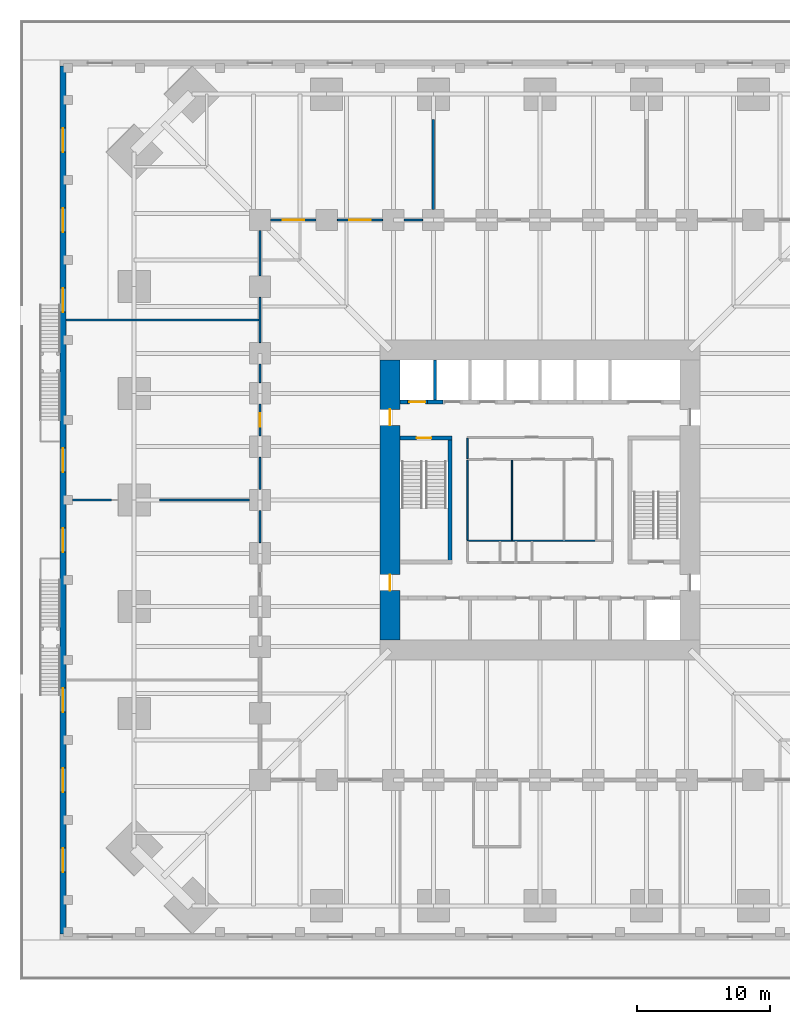
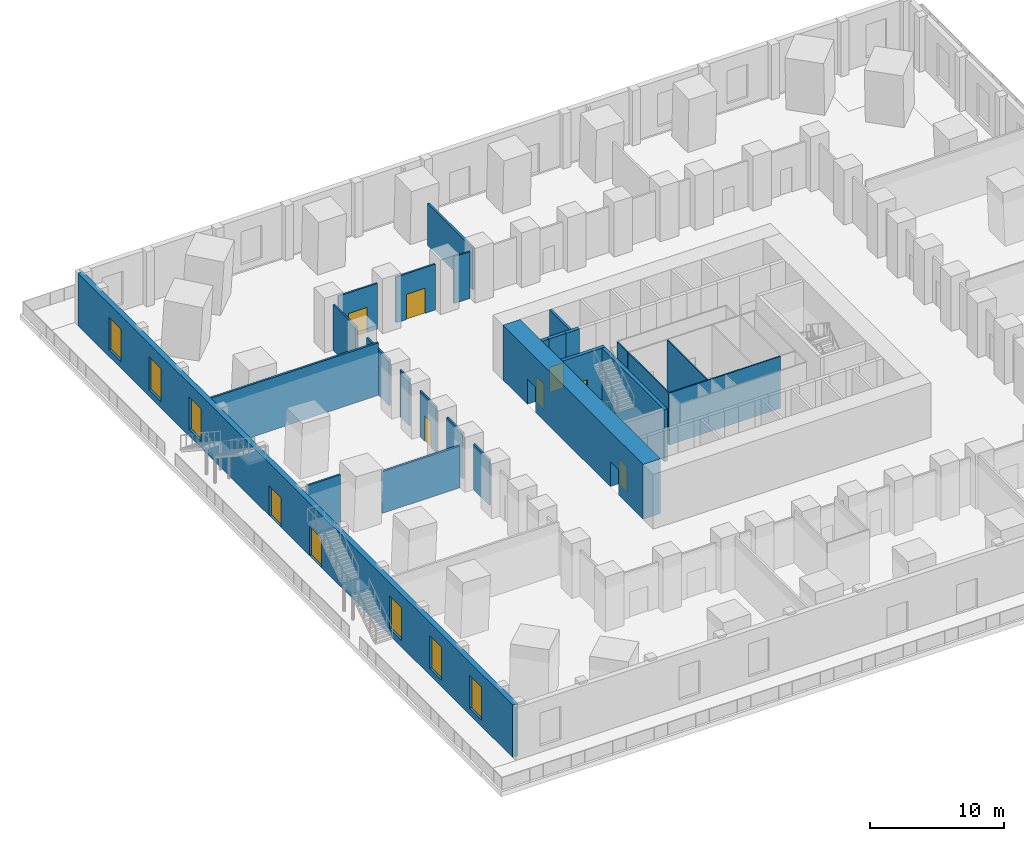
# One storey, part 12 of 20: 25 walls, 9 doors, 6 windows, 15 openings.
"""IFC4 building model written with IfcOpenShell, lengths in metres."""

from ifc_helpers import new_model, si_unit, direction, frame, frame_2d, origin, place, context, subcontext, project, spatial, rectangle, extrude, material, layer, layer_set, type_object, element, fill, save


model = new_model("IFC4")

# Units and contexts
model_context = context("Model", 3, precision=1e-05, world=origin(), true_north=direction((0.0, 1.0)))
body_context = subcontext(model_context, "Body", "Model", "MODEL_VIEW")
ifc_project = project(units=[si_unit("LENGTHUNIT", "METRE"), si_unit("AREAUNIT", "SQUARE_METRE"), si_unit("VOLUMEUNIT", "CUBIC_METRE"), si_unit("PLANEANGLEUNIT", "RADIAN"), si_unit("MASSUNIT", "GRAM", prefix="KILO")], contexts=[model_context])

# Site, building, storey
site_placement = place(None, origin())
site = spatial("IfcSite", under=ifc_project, at=site_placement, CompositionType="ELEMENT")
building_placement = place(site_placement, origin())
building = spatial("IfcBuilding", under=site, at=building_placement, Name="Peilmerk Tower", CompositionType="ELEMENT")
storey_placement = place(building_placement, frame((0.0, 0.0, 11.0)))
storey = spatial("IfcBuildingStorey", under=building, at=storey_placement, Name="L02", CompositionType="ELEMENT", Elevation=11.0)

# Wall, openings, doors, windows
ifc_material_1 = material(Name="Precast concrete C45/55, board-marked finish", Category="concrete")
ifc_layer_1 = layer(ifc_material_1, 0.449951171875)
ifc_layer_set_1 = layer_set([ifc_layer_1], Name="Precast concrete C45/55, board-marked finish")
wall_type_1 = type_object("IfcWallType", Name="EW1 450 precast concrete facade wall, board-marked", PredefinedType="SOLIDWALL", material=ifc_layer_set_1)
wall_1_placement = place(storey_placement, frame((-35.77490234375, -32.550048828125, 0.0), z_axis=(0.0, 0.0, 1.0), x_axis=(0.0, 1.0, 0.0)))
wall_1 = element("IfcWall", 1, at=wall_1_placement, inside=storey, type_object=wall_type_1, Name="Facade wall W L02", PredefinedType="SOLIDWALL", context=body_context, shape_type="SweptSolid", body=[
    extrude(rectangle(XDim=65.10009765625, YDim=0.449951171875, at=frame_2d((32.550048828125, 0.0))), origin(), (0.0, 0.0, 1.0), 4.800048828125),
])
opening_1_placement = place(wall_1_placement, frame((4.64990234375, 0.0, 0.60009765625)))
opening_1 = element("IfcOpeningElement", 2, at=opening_1_placement, cuts=wall_1, Name="Opening W7", PredefinedType="OPENING", context=body_context, shape_type="SweptSolid", body=[
    extrude(rectangle(XDim=1.800048828125, YDim=3.0, at=frame_2d((0.89990234375, 1.5))), frame((0.0, 0.23486328125, 0.0), z_axis=(0.0, -1.0, 0.0), x_axis=(1.0, 0.0, 0.0)), (0.0, 0.0, 1.0), 0.469970703125),
])
opening_2_placement = place(wall_1_placement, frame((10.64990234375, 0.0, 0.60009765625)))
opening_2 = element("IfcOpeningElement", 3, at=opening_2_placement, cuts=wall_1, Name="Opening W7", PredefinedType="OPENING", context=body_context, shape_type="SweptSolid", body=[
    extrude(rectangle(XDim=1.800048828125, YDim=3.0, at=frame_2d((0.89990234375, 1.5))), frame((0.0, 0.23486328125, 0.0), z_axis=(0.0, -1.0, 0.0), x_axis=(1.0, 0.0, 0.0)), (0.0, 0.0, 1.0), 0.469970703125),
])
opening_3_placement = place(wall_1_placement, frame((16.64990234375, 0.0, 0.60009765625)))
opening_3 = element("IfcOpeningElement", 4, at=opening_3_placement, cuts=wall_1, Name="Opening W7", PredefinedType="OPENING", context=body_context, shape_type="SweptSolid", body=[
    extrude(rectangle(XDim=1.800048828125, YDim=3.0, at=frame_2d((0.89990234375, 1.5))), frame((0.0, 0.23486328125, 0.0), z_axis=(0.0, -1.0, 0.0), x_axis=(1.0, 0.0, 0.0)), (0.0, 0.0, 1.0), 0.469970703125),
])
opening_4_placement = place(wall_1_placement, frame((46.64990234375, 0.0, 0.60009765625)))
opening_4 = element("IfcOpeningElement", 5, at=opening_4_placement, cuts=wall_1, Name="Opening W7", PredefinedType="OPENING", context=body_context, shape_type="SweptSolid", body=[
    extrude(rectangle(XDim=1.800048828125, YDim=3.0, at=frame_2d((0.89990234375, 1.5))), frame((0.0, 0.23486328125, 0.0), z_axis=(0.0, -1.0, 0.0), x_axis=(1.0, 0.0, 0.0)), (0.0, 0.0, 1.0), 0.469970703125),
])
opening_5_placement = place(wall_1_placement, frame((52.64990234375, 0.0, 0.60009765625)))
opening_5 = element("IfcOpeningElement", 6, at=opening_5_placement, cuts=wall_1, Name="Opening W7", PredefinedType="OPENING", context=body_context, shape_type="SweptSolid", body=[
    extrude(rectangle(XDim=1.800048828125, YDim=3.0, at=frame_2d((0.89990234375, 1.5))), frame((0.0, 0.23486328125, 0.0), z_axis=(0.0, -1.0, 0.0), x_axis=(1.0, 0.0, 0.0)), (0.0, 0.0, 1.0), 0.469970703125),
])
opening_6_placement = place(wall_1_placement, frame((58.64990234375, 0.0, 0.60009765625)))
opening_6 = element("IfcOpeningElement", 7, at=opening_6_placement, cuts=wall_1, Name="Opening W7", PredefinedType="OPENING", context=body_context, shape_type="SweptSolid", body=[
    extrude(rectangle(XDim=1.800048828125, YDim=3.0, at=frame_2d((0.89990234375, 1.5))), frame((0.0, 0.23486328125, 0.0), z_axis=(0.0, -1.0, 0.0), x_axis=(1.0, 0.0, 0.0)), (0.0, 0.0, 1.0), 0.469970703125),
])
opening_7_placement = place(wall_1_placement, frame((28.64990234375, 0.0, 0.0)))
opening_7 = element("IfcOpeningElement", 8, at=opening_7_placement, cuts=wall_1, Name="Opening ED4", PredefinedType="OPENING", context=body_context, shape_type="SweptSolid", body=[
    extrude(rectangle(XDim=1.800048828125, YDim=2.699951171875, at=frame_2d((0.89990234375, 1.35009765625))), frame((0.0, 0.23486328125, 0.0), z_axis=(0.0, -1.0, 0.0), x_axis=(1.0, 0.0, 0.0)), (0.0, 0.0, 1.0), 0.469970703125),
])
opening_8_placement = place(wall_1_placement, frame((34.64990234375, 0.0, 0.0)))
opening_8 = element("IfcOpeningElement", 9, at=opening_8_placement, cuts=wall_1, Name="Opening ED4", PredefinedType="OPENING", context=body_context, shape_type="SweptSolid", body=[
    extrude(rectangle(XDim=1.800048828125, YDim=2.699951171875, at=frame_2d((0.89990234375, 1.35009765625))), frame((0.0, 0.23486328125, 0.0), z_axis=(0.0, -1.0, 0.0), x_axis=(1.0, 0.0, 0.0)), (0.0, 0.0, 1.0), 0.469970703125),
])
ifc_material_2 = material(Name="Aluminium frame, clear glazing", Category="aluminium")
door_type_1 = type_object("IfcDoorType", Name="ED4 1800x2700 terrace door pair, glazed", OperationType="DOUBLE_DOOR_DOUBLE_SWING", PredefinedType="DOOR", material=ifc_material_2)
door_1_placement = place(opening_7_placement, origin())
door_1 = element("IfcDoor", 10, at=door_1_placement, inside=storey, type_object=door_type_1, Name="Terrace door pair, glazed L02", OperationType="DOUBLE_DOOR_DOUBLE_SWING", OverallHeight=2.699951171875, OverallWidth=1.800048828125, PredefinedType="DOOR", context=body_context, shape_type="SweptSolid", body=[
    extrude(rectangle(XDim=1.800048828125, YDim=2.699951171875, at=frame_2d((0.89990234375, 1.35009765625))), frame((0.0, 0.02490234375, 0.0), z_axis=(0.0, -1.0, 0.0), x_axis=(1.0, 0.0, 0.0)), (0.0, 0.0, 1.0), 0.050048828125),
])
fill(opening_7, door_1)
door_2_placement = place(opening_8_placement, origin())
door_2 = element("IfcDoor", 11, at=door_2_placement, inside=storey, type_object=door_type_1, Name="Terrace door pair, glazed L02", OperationType="DOUBLE_DOOR_DOUBLE_SWING", OverallHeight=2.699951171875, OverallWidth=1.800048828125, PredefinedType="DOOR", context=body_context, shape_type="SweptSolid", body=[
    extrude(rectangle(XDim=1.800048828125, YDim=2.699951171875, at=frame_2d((0.89990234375, 1.35009765625))), frame((0.0, 0.02490234375, 0.0), z_axis=(0.0, -1.0, 0.0), x_axis=(1.0, 0.0, 0.0)), (0.0, 0.0, 1.0), 0.050048828125),
])
fill(opening_8, door_2)
ifc_material_3 = material(Name="Aluminium frame, clear double glazing", Category="aluminium")
window_type = type_object("IfcWindowType", Name="W7 1800x3000 podium window", PartitioningType="SINGLE_PANEL", PredefinedType="WINDOW", material=ifc_material_3)
window_1_placement = place(opening_1_placement, origin())
window_1 = element("IfcWindow", 12, at=window_1_placement, inside=storey, type_object=window_type, Name="Window W7 L02", OverallHeight=3.0, OverallWidth=1.800048828125, PartitioningType="SINGLE_PANEL", PredefinedType="WINDOW", context=body_context, shape_type="SweptSolid", body=[
    extrude(rectangle(XDim=1.800048828125, YDim=3.0, at=frame_2d((0.89990234375, 1.5))), frame((0.0, 0.030029296875, 0.0), z_axis=(0.0, -1.0, 0.0), x_axis=(1.0, 0.0, 0.0)), (0.0, 0.0, 1.0), 0.06005859375),
])
fill(opening_1, window_1)
window_2_placement = place(opening_2_placement, origin())
window_2 = element("IfcWindow", 13, at=window_2_placement, inside=storey, type_object=window_type, Name="Window W7 L02", OverallHeight=3.0, OverallWidth=1.800048828125, PartitioningType="SINGLE_PANEL", PredefinedType="WINDOW", context=body_context, shape_type="SweptSolid", body=[
    extrude(rectangle(XDim=1.800048828125, YDim=3.0, at=frame_2d((0.89990234375, 1.5))), frame((0.0, 0.030029296875, 0.0), z_axis=(0.0, -1.0, 0.0), x_axis=(1.0, 0.0, 0.0)), (0.0, 0.0, 1.0), 0.06005859375),
])
fill(opening_2, window_2)
window_3_placement = place(opening_3_placement, origin())
window_3 = element("IfcWindow", 14, at=window_3_placement, inside=storey, type_object=window_type, Name="Window W7 L02", OverallHeight=3.0, OverallWidth=1.800048828125, PartitioningType="SINGLE_PANEL", PredefinedType="WINDOW", context=body_context, shape_type="SweptSolid", body=[
    extrude(rectangle(XDim=1.800048828125, YDim=3.0, at=frame_2d((0.89990234375, 1.5))), frame((0.0, 0.030029296875, 0.0), z_axis=(0.0, -1.0, 0.0), x_axis=(1.0, 0.0, 0.0)), (0.0, 0.0, 1.0), 0.06005859375),
])
fill(opening_3, window_3)
window_4_placement = place(opening_4_placement, origin())
window_4 = element("IfcWindow", 15, at=window_4_placement, inside=storey, type_object=window_type, Name="Window W7 L02", OverallHeight=3.0, OverallWidth=1.800048828125, PartitioningType="SINGLE_PANEL", PredefinedType="WINDOW", context=body_context, shape_type="SweptSolid", body=[
    extrude(rectangle(XDim=1.800048828125, YDim=3.0, at=frame_2d((0.89990234375, 1.5))), frame((0.0, 0.030029296875, 0.0), z_axis=(0.0, -1.0, 0.0), x_axis=(1.0, 0.0, 0.0)), (0.0, 0.0, 1.0), 0.06005859375),
])
fill(opening_4, window_4)
window_5_placement = place(opening_5_placement, origin())
window_5 = element("IfcWindow", 16, at=window_5_placement, inside=storey, type_object=window_type, Name="Window W7 L02", OverallHeight=3.0, OverallWidth=1.800048828125, PartitioningType="SINGLE_PANEL", PredefinedType="WINDOW", context=body_context, shape_type="SweptSolid", body=[
    extrude(rectangle(XDim=1.800048828125, YDim=3.0, at=frame_2d((0.89990234375, 1.5))), frame((0.0, 0.030029296875, 0.0), z_axis=(0.0, -1.0, 0.0), x_axis=(1.0, 0.0, 0.0)), (0.0, 0.0, 1.0), 0.06005859375),
])
fill(opening_5, window_5)
window_6_placement = place(opening_6_placement, origin())
window_6 = element("IfcWindow", 17, at=window_6_placement, inside=storey, type_object=window_type, Name="Window W7 L02", OverallHeight=3.0, OverallWidth=1.800048828125, PartitioningType="SINGLE_PANEL", PredefinedType="WINDOW", context=body_context, shape_type="SweptSolid", body=[
    extrude(rectangle(XDim=1.800048828125, YDim=3.0, at=frame_2d((0.89990234375, 1.5))), frame((0.0, 0.030029296875, 0.0), z_axis=(0.0, -1.0, 0.0), x_axis=(1.0, 0.0, 0.0)), (0.0, 0.0, 1.0), 0.06005859375),
])
fill(opening_6, window_6)

# Wall, opening, door
ifc_material_4 = material(Name="Calcium silicate block", Category="masonry")
ifc_layer_2 = layer(ifc_material_4, 0.14990234375)
ifc_layer_set_2 = layer_set([ifc_layer_2], Name="Calcium silicate block")
wall_type_2 = type_object("IfcWallType", Name="IW1 150 corridor partition, EI 60", PredefinedType="PARTITIONING", material=ifc_layer_set_2)
wall_2_placement = place(storey_placement, frame((-20.199951171875, 21.0, 0.0), z_axis=(0.0, 0.0, 1.0), x_axis=(1.0, 0.0, 0.0)))
wall_2 = element("IfcWall", 18, at=wall_2_placement, inside=storey, type_object=wall_type_2, Name="Corridor wall N L02", PredefinedType="PARTITIONING", context=body_context, shape_type="SweptSolid", body=[
    extrude(rectangle(XDim=3.39990234375, YDim=0.14990234375, at=frame_2d((1.699951171875, 0.0))), origin(), (0.0, 0.0, 1.0), 4.179931640625),
])
opening_9_placement = place(wall_2_placement, frame((0.89990234375, 0.0, 0.0)))
opening_9 = element("IfcOpeningElement", 19, at=opening_9_placement, cuts=wall_2, Name="Opening D9", PredefinedType="OPENING", context=body_context, shape_type="SweptSolid", body=[
    extrude(rectangle(XDim=1.60009765625, YDim=2.300048828125, at=frame_2d((0.800048828125, 1.14990234375))), frame((0.0, 0.0849609375, 0.0), z_axis=(0.0, -1.0, 0.0), x_axis=(1.0, 0.0, 0.0)), (0.0, 0.0, 1.0), 0.169921875),
])
ifc_material_5 = material(Name="Glazed timber door in steel frame", Category="steel")
door_type_2 = type_object("IfcDoorType", Name="D9 1600x2300 glazed double door, EI2 30", OperationType="DOUBLE_DOOR_SINGLE_SWING", PredefinedType="DOOR", material=ifc_material_5)
door_3_placement = place(opening_9_placement, origin())
door_3 = element("IfcDoor", 20, at=door_3_placement, inside=storey, type_object=door_type_2, Name="Door Visitor centre L02", OperationType="DOUBLE_DOOR_SINGLE_SWING", OverallHeight=2.300048828125, OverallWidth=1.60009765625, PredefinedType="DOOR", context=body_context, shape_type="SweptSolid", body=[
    extrude(rectangle(XDim=1.60009765625, YDim=2.300048828125, at=frame_2d((0.800048828125, 1.14990234375))), frame((0.0, 0.02490234375, 0.0), z_axis=(0.0, -1.0, 0.0), x_axis=(1.0, 0.0, 0.0)), (0.0, 0.0, 1.0), 0.050048828125),
])
fill(opening_9, door_3)

wall_3_placement = place(storey_placement, frame((-15.199951171875, 21.0, 0.0), z_axis=(0.0, 0.0, 1.0), x_axis=(1.0, 0.0, 0.0)))
wall_3 = element("IfcWall", 21, at=wall_3_placement, inside=storey, type_object=wall_type_2, Name="Corridor wall Nb L02", PredefinedType="PARTITIONING", context=body_context, shape_type="SweptSolid", body=[
    extrude(rectangle(XDim=3.39990234375, YDim=0.14990234375, at=frame_2d((1.699951171875, 0.0))), origin(), (0.0, 0.0, 1.0), 4.179931640625),
])
opening_10_placement = place(wall_3_placement, frame((0.89990234375, 0.0, 0.0)))
opening_10 = element("IfcOpeningElement", 22, at=opening_10_placement, cuts=wall_3, Name="Opening D9", PredefinedType="OPENING", context=body_context, shape_type="SweptSolid", body=[
    extrude(rectangle(XDim=1.60009765625, YDim=2.300048828125, at=frame_2d((0.800048828125, 1.14990234375))), frame((0.0, 0.0849609375, 0.0), z_axis=(0.0, -1.0, 0.0), x_axis=(1.0, 0.0, 0.0)), (0.0, 0.0, 1.0), 0.169921875),
])
door_4_placement = place(opening_10_placement, origin())
door_4 = element("IfcDoor", 23, at=door_4_placement, inside=storey, type_object=door_type_2, Name="Door Visitor centre L02", OperationType="DOUBLE_DOOR_SINGLE_SWING", OverallHeight=2.300048828125, OverallWidth=1.60009765625, PredefinedType="DOOR", context=body_context, shape_type="SweptSolid", body=[
    extrude(rectangle(XDim=1.60009765625, YDim=2.300048828125, at=frame_2d((0.800048828125, 1.14990234375))), frame((0.0, 0.02490234375, 0.0), z_axis=(0.0, -1.0, 0.0), x_axis=(1.0, 0.0, 0.0)), (0.0, 0.0, 1.0), 0.050048828125),
])
fill(opening_10, door_4)

# Walls
wall_4_placement = place(storey_placement, frame((-10.199951171875, 21.0, 0.0), z_axis=(0.0, 0.0, 1.0), x_axis=(1.0, 0.0, 0.0)))
element("IfcWall", 24, at=wall_4_placement, inside=storey, type_object=wall_type_2, Name="Corridor wall Nc L02", PredefinedType="PARTITIONING", context=body_context, shape_type="SweptSolid", body=[
    extrude(rectangle(XDim=1.39990234375, YDim=0.14990234375, at=frame_2d((0.699951171875, 0.0))), origin(), (0.0, 0.0, 1.0), 4.27587890625),
])
for number, where, z_axis, x_axis, name in (
    (25, (-21.0, 20.199951171875, 0.0), (0.0, 0.0, 1.0), (0.0, -1.0, 0.0), "Corridor wall W L02"),
    (26, (-21.0, 15.199951171875, 0.0), (0.0, 0.0, 1.0), (0.0, -1.0, 0.0), "Corridor wall Wb L02"),
):
    element("IfcWall", number, at=place(storey_placement, frame(where, z_axis=z_axis, x_axis=x_axis)), inside=storey, type_object=wall_type_2, Name=name, PredefinedType="PARTITIONING", context=body_context, shape_type="SweptSolid", body=[
        extrude(rectangle(XDim=3.39990234375, YDim=0.14990234375, at=frame_2d((1.699951171875, 0.0))), origin(), (0.0, 0.0, 1.0), 4.179931640625),
    ])
wall_5_placement = place(storey_placement, frame((-21.0, 10.199951171875, 0.0), z_axis=(0.0, 0.0, 1.0), x_axis=(0.0, -1.0, 0.0)))
element("IfcWall", 27, at=wall_5_placement, inside=storey, type_object=wall_type_2, Name="Corridor wall Wc L02", PredefinedType="PARTITIONING", context=body_context, shape_type="SweptSolid", body=[
    extrude(rectangle(XDim=1.39990234375, YDim=0.14990234375, at=frame_2d((0.699951171875, 0.0))), origin(), (0.0, 0.0, 1.0), 4.27587890625),
])

# Wall, opening, door
wall_6_placement = place(storey_placement, frame((-21.0, 7.199951171875, 0.0), z_axis=(0.0, 0.0, 1.0), x_axis=(0.0, -1.0, 0.0)))
wall_6 = element("IfcWall", 28, at=wall_6_placement, inside=storey, type_object=wall_type_2, Name="Corridor wall Wd L02", PredefinedType="PARTITIONING", context=body_context, shape_type="SweptSolid", body=[
    extrude(rectangle(XDim=2.39990234375, YDim=0.14990234375, at=frame_2d((1.199951171875, 0.0))), origin(), (0.0, 0.0, 1.0), 4.179931640625),
])
opening_11_placement = place(wall_6_placement, frame((0.699951171875, 0.0, 0.0)))
opening_11 = element("IfcOpeningElement", 29, at=opening_11_placement, cuts=wall_6, Name="Opening D1", PredefinedType="OPENING", context=body_context, shape_type="SweptSolid", body=[
    extrude(rectangle(XDim=1.0, YDim=2.300048828125, at=frame_2d((0.5, 1.14990234375))), frame((0.0, 0.0849609375, 0.0), z_axis=(0.0, -1.0, 0.0), x_axis=(1.0, 0.0, 0.0)), (0.0, 0.0, 1.0), 0.169921875),
])
ifc_material_6 = material(Name="Timber door in steel frame", Category="steel")
door_type_3 = type_object("IfcDoorType", Name="D1 1000x2300 room door, EI2 30", OperationType="SINGLE_SWING_LEFT", PredefinedType="DOOR", material=ifc_material_6)
door_5_placement = place(opening_11_placement, frame((1.0, 0.0, 0.0), z_axis=(0.0, 0.0, 1.0), x_axis=(-1.0, 0.0, 0.0)))
door_5 = element("IfcDoor", 30, at=door_5_placement, inside=storey, type_object=door_type_3, Name="Door Office L02", OperationType="SINGLE_SWING_LEFT", OverallHeight=2.300048828125, OverallWidth=1.0, PredefinedType="DOOR", context=body_context, shape_type="SweptSolid", body=[
    extrude(rectangle(XDim=1.0, YDim=2.300048828125, at=frame_2d((0.5, 1.14990234375))), frame((0.0, 0.02490234375, 0.0), z_axis=(0.0, -1.0, 0.0), x_axis=(1.0, 0.0, 0.0)), (0.0, 0.0, 1.0), 0.050048828125),
])
fill(opening_11, door_5)

# Walls
for number, where, z_axis, x_axis, name in (
    (31, (-21.0, 3.199951171875, 0.0), (0.0, 0.0, 1.0), (0.0, -1.0, 0.0), "Corridor wall We L02"),
    (32, (-21.0, -0.800048828125, 0.0), (0.0, 0.0, 1.0), (0.0, -1.0, 0.0), "Corridor wall Wf L02"),
):
    element("IfcWall", number, at=place(storey_placement, frame(where, z_axis=z_axis, x_axis=x_axis)), inside=storey, type_object=wall_type_2, Name=name, PredefinedType="PARTITIONING", context=body_context, shape_type="SweptSolid", body=[
        extrude(rectangle(XDim=2.39990234375, YDim=0.14990234375, at=frame_2d((1.199951171875, 0.0))), origin(), (0.0, 0.0, 1.0), 4.179931640625),
    ])
ifc_material_7 = material(Name="Concrete C35/45", Category="concrete")
ifc_layer_3 = layer(ifc_material_7, 0.300048828125)
ifc_layer_set_3 = layer_set([ifc_layer_3], Name="Concrete C35/45")
wall_type_3 = type_object("IfcWallType", Name="IW3 300 concrete stair enclosure wall, EI 120", PredefinedType="SOLIDWALL", material=ifc_layer_set_3)
wall_7_placement = place(storey_placement, frame((-6.75, -4.800048828125, 0.0), z_axis=(0.0, 0.0, 1.0), x_axis=(0.0, 1.0, 0.0)))
element("IfcWall", 33, at=wall_7_placement, inside=storey, type_object=wall_type_3, Name="Stair 1 enclosure L02", PredefinedType="SOLIDWALL", context=body_context, shape_type="SweptSolid", body=[
    extrude(rectangle(XDim=9.60009765625, YDim=0.300048828125, at=frame_2d((4.800048828125, 0.0))), origin(), (0.0, 0.0, 1.0), 4.75),
])

# Wall, opening, door
wall_8_placement = place(storey_placement, frame((-10.5, 4.64990234375, 0.0), z_axis=(0.0, 0.0, 1.0), x_axis=(1.0, 0.0, 0.0)))
wall_8 = element("IfcWall", 34, at=wall_8_placement, inside=storey, type_object=wall_type_3, Name="Stair 1 enclosure L02", PredefinedType="SOLIDWALL", context=body_context, shape_type="SweptSolid", body=[
    extrude(rectangle(XDim=3.89990234375, YDim=0.300048828125, at=frame_2d((1.949951171875, 0.0))), origin(), (0.0, 0.0, 1.0), 4.75),
])
opening_12_placement = place(wall_8_placement, frame((1.25, 0.0, 0.0)))
opening_12 = element("IfcOpeningElement", 35, at=opening_12_placement, cuts=wall_8, Name="Opening D4", PredefinedType="OPENING", context=body_context, shape_type="SweptSolid", body=[
    extrude(rectangle(XDim=1.10009765625, YDim=2.300048828125, at=frame_2d((0.550048828125, 1.14990234375))), frame((0.0, 0.159912109375, 0.0), z_axis=(0.0, -1.0, 0.0), x_axis=(1.0, 0.0, 0.0)), (0.0, 0.0, 1.0), 0.320068359375),
])
ifc_material_8 = material(Name="Steel door in steel frame", Category="steel")
door_type_4 = type_object("IfcDoorType", Name="D4 1100x2300 stair door, EI2 60", OperationType="SINGLE_SWING_RIGHT", PredefinedType="DOOR", material=ifc_material_8)
door_6_placement = place(opening_12_placement, frame((1.10009765625, 0.0, 0.0), z_axis=(0.0, 0.0, 1.0), x_axis=(-1.0, 0.0, 0.0)))
door_6 = element("IfcDoor", 36, at=door_6_placement, inside=storey, type_object=door_type_4, Name="Stair 1 door L02", OperationType="SINGLE_SWING_RIGHT", OverallHeight=2.300048828125, OverallWidth=1.10009765625, PredefinedType="DOOR", context=body_context, shape_type="SweptSolid", body=[
    extrude(rectangle(XDim=1.10009765625, YDim=2.300048828125, at=frame_2d((0.550048828125, 1.14990234375))), frame((0.0, 0.02490234375, 0.0), z_axis=(0.0, -1.0, 0.0), x_axis=(1.0, 0.0, 0.0)), (0.0, 0.0, 1.0), 0.050048828125),
])
fill(opening_12, door_6)

# Walls
ifc_material_9 = material(Name="Plasterboard on steel studs", Category="steel")
ifc_layer_4 = layer(ifc_material_9, 0.10009765625)
ifc_layer_set_4 = layer_set([ifc_layer_4], Name="Plasterboard on steel studs")
wall_type_4 = type_object("IfcWallType", Name="IW4 100 WC partition", PredefinedType="PARTITIONING", material=ifc_layer_set_4)
wall_9_placement = place(storey_placement, frame((4.14990234375, -3.050048828125, 0.0), z_axis=(0.0, 0.0, 1.0), x_axis=(-1.0, 0.0, 0.0)))
element("IfcWall", 37, at=wall_9_placement, inside=storey, type_object=wall_type_4, Name="WC wall L02", PredefinedType="PARTITIONING", context=body_context, shape_type="SweptSolid", body=[
    extrude(rectangle(XDim=9.599853515625, YDim=0.10009765625, at=frame_2d((4.7998046875, 0.0))), origin(), (0.0, 0.0, 1.0), 4.75),
])
for number, where, z_axis, x_axis, name in (
    (38, (-5.449951171875, -3.0, 0.0), (0.0, 0.0, 1.0), (0.0, 1.0, 0.0), "WC wall L02"),
    (39, (-2.10009765625, -3.0, 0.0), (0.0, 0.0, 1.0), (0.0, 1.0, 0.0), "WC wall L02"),
):
    element("IfcWall", number, at=place(storey_placement, frame(where, z_axis=z_axis, x_axis=x_axis)), inside=storey, type_object=wall_type_4, Name=name, PredefinedType="PARTITIONING", context=body_context, shape_type="SweptSolid", body=[
        extrude(rectangle(XDim=6.0, YDim=0.10009765625, at=frame_2d((3.0, 0.0))), origin(), (0.0, 0.0, 1.0), 4.75),
    ])
ifc_layer_5 = layer(ifc_material_4, 0.175048828125)
ifc_layer_set_5 = layer_set([ifc_layer_5], Name="Calcium silicate block")
wall_type_5 = type_object("IfcWallType", Name="IW8 175 tenant separating wall, EI 60", PredefinedType="PARTITIONING", material=ifc_layer_set_5)
wall_10_placement = place(storey_placement, frame((-35.550048828125, 13.5, 0.0), z_axis=(0.0, 0.0, 1.0), x_axis=(1.0, 0.0, 0.0)))
element("IfcWall", 40, at=wall_10_placement, inside=storey, type_object=wall_type_5, Name="Tenant separating wall NW L02", PredefinedType="PARTITIONING", context=body_context, shape_type="SweptSolid", body=[
    extrude(rectangle(XDim=14.47509765625, YDim=0.175048828125, at=frame_2d((7.237548828125, 0.0))), origin(), (0.0, 0.0, 1.0), 4.800048828125),
])
for number, where, z_axis, x_axis, name in (
    (41, (-8.0, 21.800048828125, 0.0), (0.0, 0.0, 1.0), (0.0, 1.0, 0.0), "Tenant separating wall N1 L02"),
    (42, (-21.800048828125, 0.0, 0.0), (0.0, 0.0, 1.0), (-1.0, 0.0, 0.0), "Tenant separating wall W1 L02"),
):
    element("IfcWall", number, at=place(storey_placement, frame(where, z_axis=z_axis, x_axis=x_axis)), inside=storey, type_object=wall_type_5, Name=name, PredefinedType="PARTITIONING", context=body_context, shape_type="SweptSolid", body=[
        extrude(rectangle(XDim=6.75439453125, YDim=0.175048828125, at=frame_2d((3.377197265625, 0.0))), origin(), (0.0, 0.0, 1.0), 3.81005859375),
    ])
wall_11_placement = place(storey_placement, frame((-32.150390625, 0.0, 0.0), z_axis=(0.0, 0.0, 1.0), x_axis=(-1.0, 0.0, 0.0)))
element("IfcWall", 43, at=wall_11_placement, inside=storey, type_object=wall_type_5, Name="Tenant separating wall W1b L02", PredefinedType="PARTITIONING", context=body_context, shape_type="SweptSolid", body=[
    extrude(rectangle(XDim=2.899658203125, YDim=0.175048828125, at=frame_2d((1.44970703125, 0.0))), origin(), (0.0, 0.0, 1.0), 4.800048828125),
])
ifc_material_10 = material(Name="Fire-resisting plasterboard on steel studs", Category="steel")
ifc_layer_6 = layer(ifc_material_10, 0.10009765625)
ifc_layer_set_6 = layer_set([ifc_layer_6], Name="Fire-resisting plasterboard on steel studs")
wall_type_6 = type_object("IfcWallType", Name="IW9 100 WC lobby wall, EI 30", PredefinedType="PARTITIONING", material=ifc_layer_set_6)
wall_12_placement = place(storey_placement, frame((-5.449951171875, 3.10009765625, 0.0), z_axis=(0.0, 0.0, 1.0), x_axis=(0.0, 1.0, 0.0)))
element("IfcWall", 44, at=wall_12_placement, inside=storey, type_object=wall_type_6, Name="WC lobby wall L02", PredefinedType="PARTITIONING", context=body_context, shape_type="SweptSolid", body=[
    extrude(rectangle(XDim=1.5498046875, YDim=0.10009765625, at=frame_2d((0.77490234375, 0.0))), origin(), (0.0, 0.0, 1.0), 4.75),
])
ifc_layer_7 = layer(ifc_material_4, 0.199951171875)
ifc_layer_set_7 = layer_set([ifc_layer_7], Name="Calcium silicate block")
wall_type_7 = type_object("IfcWallType", Name="SH1 200 shaft dividing wall, EI 120", PredefinedType="PARTITIONING", material=ifc_layer_set_7)
wall_13_placement = place(storey_placement, frame((-7.875, 7.5, 0.0), z_axis=(0.0, 0.0, 1.0), x_axis=(0.0, 1.0, 0.0)))
element("IfcWall", 45, at=wall_13_placement, inside=storey, type_object=wall_type_7, Name="Shaft wall N FL1 L02", PredefinedType="PARTITIONING", context=body_context, shape_type="SweptSolid", body=[
    extrude(rectangle(XDim=3.0, YDim=0.199951171875, at=frame_2d((1.5, 0.0))), origin(), (0.0, 0.0, 1.0), 5.0),
])

# Wall, opening, door
ifc_layer_8 = layer(ifc_material_4, 0.300048828125)
ifc_layer_set_8 = layer_set([ifc_layer_8], Name="Calcium silicate block")
wall_type_8 = type_object("IfcWallType", Name="SH2 300 lift landing door panel, EI 120", PredefinedType="PARTITIONING", material=ifc_layer_set_8)
wall_14_placement = place(storey_placement, frame((-9.9375, 7.35009765625, 0.0), z_axis=(0.0, 0.0, 1.0), x_axis=(1.0, 0.0, 0.0)))
wall_14 = element("IfcWall", 46, at=wall_14_placement, inside=storey, type_object=wall_type_8, Name="Lift door panel N FL1 L02", PredefinedType="PARTITIONING", context=body_context, shape_type="SweptSolid", body=[
    extrude(rectangle(XDim=1.5, YDim=0.300048828125, at=frame_2d((0.75, 0.0))), origin(), (0.0, 0.0, 1.0), 5.0),
])
opening_13_placement = place(wall_14_placement, frame((0.14990234375, 0.0, 0.0)))
opening_13 = element("IfcOpeningElement", 47, at=opening_13_placement, cuts=wall_14, Name="Opening LD2", PredefinedType="OPENING", context=body_context, shape_type="SweptSolid", body=[
    extrude(rectangle(XDim=1.199951171875, YDim=2.300048828125, at=frame_2d((0.60009765625, 1.14990234375))), frame((0.0, 0.159912109375, 0.0), z_axis=(0.0, -1.0, 0.0), x_axis=(1.0, 0.0, 0.0)), (0.0, 0.0, 1.0), 0.320068359375),
])
ifc_material_11 = material(Name="Stainless steel landing door", Category="steel")
door_type_5 = type_object("IfcDoorType", Name="LD2 1200x2300 lift landing door, sliding, EI2 60", OperationType="SLIDING_TO_LEFT", PredefinedType="DOOR", material=ifc_material_11)
door_7_placement = place(opening_13_placement, frame((1.199951171875, 0.0, 0.0), z_axis=(0.0, 0.0, 1.0), x_axis=(-1.0, 0.0, 0.0)))
door_7 = element("IfcDoor", 48, at=door_7_placement, inside=storey, type_object=door_type_5, Name="Lift landing door FL1 L02", OperationType="SLIDING_TO_LEFT", OverallHeight=2.300048828125, OverallWidth=1.199951171875, PredefinedType="DOOR", context=body_context, shape_type="SweptSolid", body=[
    extrude(rectangle(XDim=1.199951171875, YDim=2.300048828125, at=frame_2d((0.60009765625, 1.14990234375))), frame((0.0, 0.02490234375, 0.0), z_axis=(0.0, -1.0, 0.0), x_axis=(1.0, 0.0, 0.0)), (0.0, 0.0, 1.0), 0.050048828125),
])
fill(opening_13, door_7)

# Wall, openings, doors
ifc_material_12 = material(Name="Concrete C55/67", Category="concrete")
ifc_layer_9 = layer(ifc_material_12, 1.5)
ifc_layer_set_9 = layer_set([ifc_layer_9], Name="Concrete C55/67")
wall_type_9 = type_object("IfcWallType", Name="SW1 1500 core wall", PredefinedType="SHEAR", material=ifc_layer_set_9)
wall_15_placement = place(storey_placement, frame((-11.25, -10.5, 0.0), z_axis=(0.0, 0.0, 1.0), x_axis=(0.0, 1.0, 0.0)))
wall_15 = element("IfcWall", 49, at=wall_15_placement, inside=storey, type_object=wall_type_9, Name="Core wall W L02", PredefinedType="SHEAR", context=body_context, shape_type="SweptSolid", body=[
    extrude(rectangle(XDim=21.0, YDim=1.5, at=frame_2d((10.5, 0.0))), origin(), (0.0, 0.0, 1.0), 5.0),
])
opening_14_placement = place(wall_15_placement, frame((16.10009765625, 0.0, 0.0)))
opening_14 = element("IfcOpeningElement", 50, at=opening_14_placement, cuts=wall_15, Name="Opening D3", PredefinedType="OPENING", context=body_context, shape_type="SweptSolid", body=[
    extrude(rectangle(XDim=1.199951171875, YDim=2.300048828125, at=frame_2d((0.60009765625, 1.14990234375))), frame((0.0, 0.760009765625, 0.0), z_axis=(0.0, -1.0, 0.0), x_axis=(1.0, 0.0, 0.0)), (0.0, 0.0, 1.0), 1.52001953125),
])
opening_15_placement = place(wall_15_placement, frame((3.699951171875, 0.0, 0.0)))
opening_15 = element("IfcOpeningElement", 51, at=opening_15_placement, cuts=wall_15, Name="Opening D3", PredefinedType="OPENING", context=body_context, shape_type="SweptSolid", body=[
    extrude(rectangle(XDim=1.199951171875, YDim=2.300048828125, at=frame_2d((0.60009765625, 1.14990234375))), frame((0.0, 0.760009765625, 0.0), z_axis=(0.0, -1.0, 0.0), x_axis=(1.0, 0.0, 0.0)), (0.0, 0.0, 1.0), 1.52001953125),
])
door_type_6 = type_object("IfcDoorType", Name="D3 1200x2300 core door, EI2 60", OperationType="SINGLE_SWING_LEFT", PredefinedType="DOOR", material=ifc_material_8)
door_8_placement = place(opening_14_placement, frame((1.199951171875, 0.0, 0.0), z_axis=(0.0, 0.0, 1.0), x_axis=(-1.0, 0.0, 0.0)))
door_8 = element("IfcDoor", 52, at=door_8_placement, inside=storey, type_object=door_type_6, Name="Core door L02", OperationType="SINGLE_SWING_LEFT", OverallHeight=2.300048828125, OverallWidth=1.199951171875, PredefinedType="DOOR", context=body_context, shape_type="SweptSolid", body=[
    extrude(rectangle(XDim=1.199951171875, YDim=2.300048828125, at=frame_2d((0.60009765625, 1.14990234375))), frame((0.0, 0.02490234375, 0.0), z_axis=(0.0, -1.0, 0.0), x_axis=(1.0, 0.0, 0.0)), (0.0, 0.0, 1.0), 0.050048828125),
])
fill(opening_14, door_8)
door_9_placement = place(opening_15_placement, frame((1.199951171875, 0.0, 0.0), z_axis=(0.0, 0.0, 1.0), x_axis=(-1.0, 0.0, 0.0)))
door_9 = element("IfcDoor", 53, at=door_9_placement, inside=storey, type_object=door_type_6, Name="Core door L02", OperationType="SINGLE_SWING_LEFT", OverallHeight=2.300048828125, OverallWidth=1.199951171875, PredefinedType="DOOR", context=body_context, shape_type="SweptSolid", body=[
    extrude(rectangle(XDim=1.199951171875, YDim=2.300048828125, at=frame_2d((0.60009765625, 1.14990234375))), frame((0.0, 0.02490234375, 0.0), z_axis=(0.0, -1.0, 0.0), x_axis=(1.0, 0.0, 0.0)), (0.0, 0.0, 1.0), 0.050048828125),
])
fill(opening_15, door_9)

# Walls
ifc_layer_10 = layer(ifc_material_12, 0.300048828125)
ifc_layer_set_10 = layer_set([ifc_layer_10], Name="Concrete C55/67")
wall_type_10 = type_object("IfcWallType", Name="SW2 300 lift bank pier", PredefinedType="SHEAR", material=ifc_layer_set_10)
wall_16_placement = place(storey_placement, frame((-10.5, 7.35009765625, 0.0), z_axis=(0.0, 0.0, 1.0), x_axis=(1.0, 0.0, 0.0)))
element("IfcWall", 54, at=wall_16_placement, inside=storey, type_object=wall_type_10, Name="Lift bank pier N L02", PredefinedType="SHEAR", context=body_context, shape_type="SweptSolid", body=[
    extrude(rectangle(XDim=0.5625, YDim=0.300048828125, at=frame_2d((0.28125, 0.0))), origin(), (0.0, 0.0, 1.0), 5.0),
])
wall_17_placement = place(storey_placement, frame((-8.4375, 7.35009765625, 0.0), z_axis=(0.0, 0.0, 1.0), x_axis=(1.0, 0.0, 0.0)))
element("IfcWall", 55, at=wall_17_placement, inside=storey, type_object=wall_type_10, Name="Lift bank pier N L02", PredefinedType="SHEAR", context=body_context, shape_type="SweptSolid", body=[
    extrude(rectangle(XDim=1.175048828125, YDim=0.300048828125, at=frame_2d((0.58740234375, 0.0))), origin(), (0.0, 0.0, 1.0), 5.0),
])

save(model, "model.ifc")
